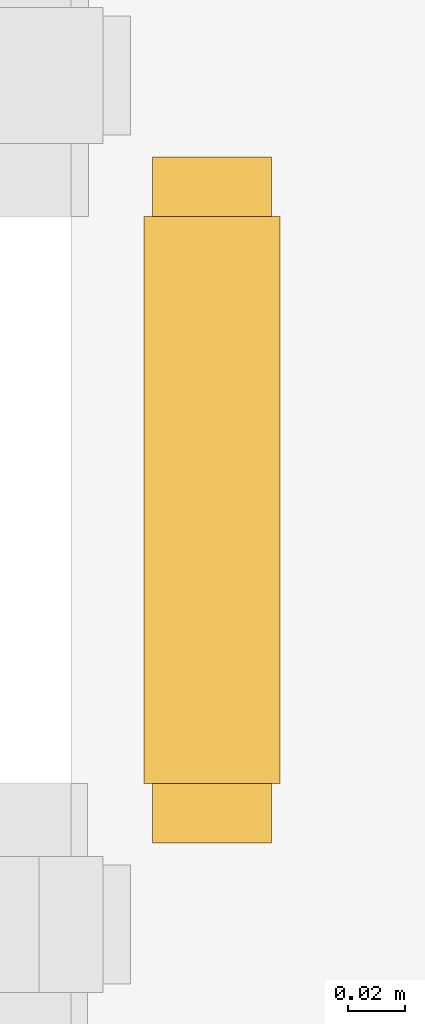
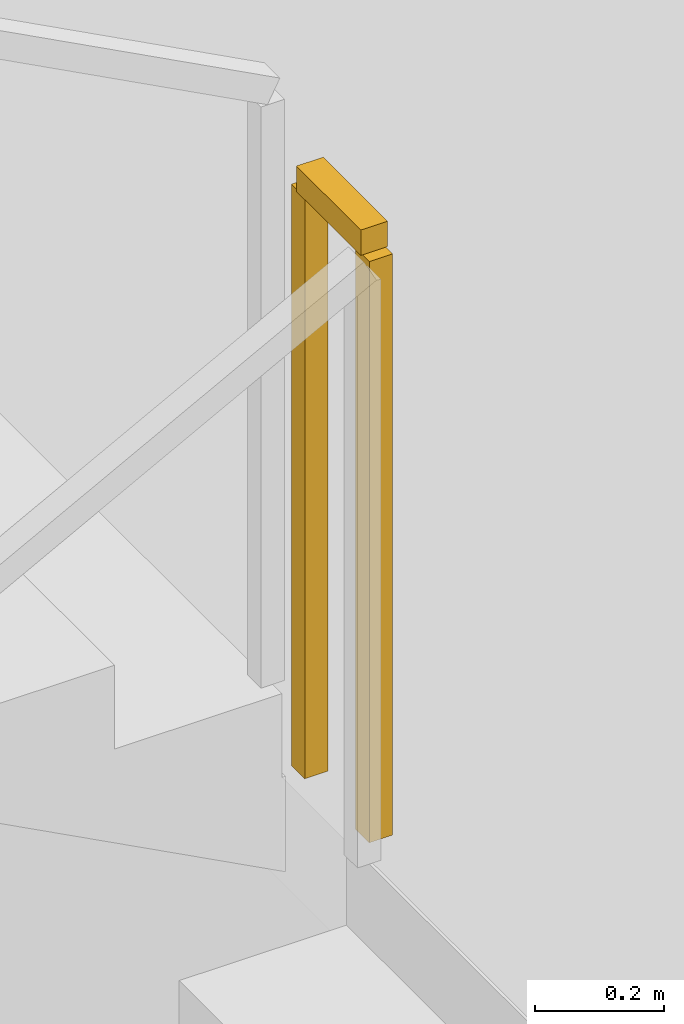
# One storey, part 72 of 82: 1 railing.
"""IFC4 building model written with IfcOpenShell, lengths in metres."""

from ifc_helpers import new_model, si_unit, direction, frame, origin, origin_2d, place, context, subcontext, project, spatial, rectangle, extrude, material, type_object, element, save


model = new_model("IFC4")

# Units and contexts
model_context = context("Model", 3, precision=1e-05, world=origin(), true_north=direction((0.0, 1.0)))
body_context = subcontext(model_context, "Body", "Model", "MODEL_VIEW")
ifc_project = project(units=[si_unit("LENGTHUNIT", "METRE"), si_unit("AREAUNIT", "SQUARE_METRE"), si_unit("VOLUMEUNIT", "CUBIC_METRE"), si_unit("PLANEANGLEUNIT", "RADIAN"), si_unit("MASSUNIT", "GRAM", prefix="KILO")], contexts=[model_context])

# Site, building, storey
site_placement = place(None, origin())
site = spatial("IfcSite", under=ifc_project, at=site_placement, CompositionType="ELEMENT")
building_placement = place(site_placement, origin())
building = spatial("IfcBuilding", under=site, at=building_placement, Name="Zlatoyarsky Gate Stadium", CompositionType="ELEMENT")
storey_placement = place(building_placement, origin())
storey = spatial("IfcBuildingStorey", under=building, at=storey_placement, Name="L00", CompositionType="ELEMENT", Elevation=0.0)

# Railing
ifc_material = material(Name="Powder-coated steel stair guardrail", Category="steel")
railing_type = type_object("IfcRailingType", Name="PAINTED STEEL STAIR WELL GUARDRAIL 1150", PredefinedType="GUARDRAIL", material=ifc_material)
railing_placement = place(storey_placement, frame((193.39990234375, 15.89990234375, 2.699951171875)))
element("IfcRailing", 1, at=railing_placement, inside=storey, type_object=railing_type, Name="ST-24 L00 stair guard 2", PredefinedType="GUARDRAIL", context=body_context, shape_type="SweptSolid", body=[
    extrude(rectangle(XDim=0.048095703125, YDim=0.048095703125, at=origin_2d()), frame((0.0, 0.0, 1.1259765625), z_axis=(0.0, 1.0, 0.0), x_axis=(-1.0, 0.0, 0.0)), (0.0, 0.0, 1.0), 0.2001953125),
    extrude(rectangle(XDim=0.0419921875, YDim=0.0419921875, at=origin_2d()), origin(), (0.0, 0.0, 1.0), 1.101806640625),
    extrude(rectangle(XDim=0.0419921875, YDim=0.0419921875, at=origin_2d()), frame((0.0, 0.2001953125, 0.0)), (0.0, 0.0, 1.0), 1.101806640625),
])

save(model, "model.ifc")
